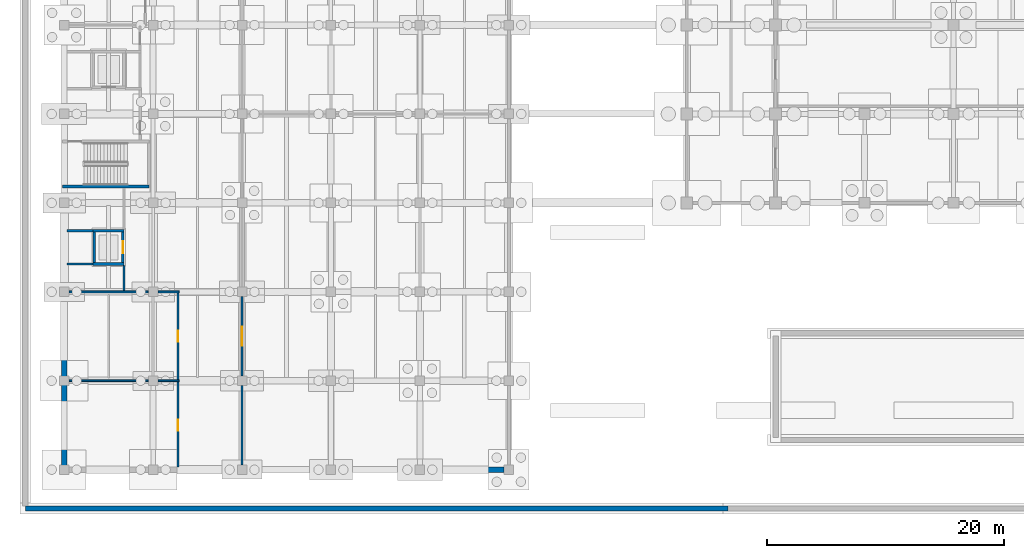
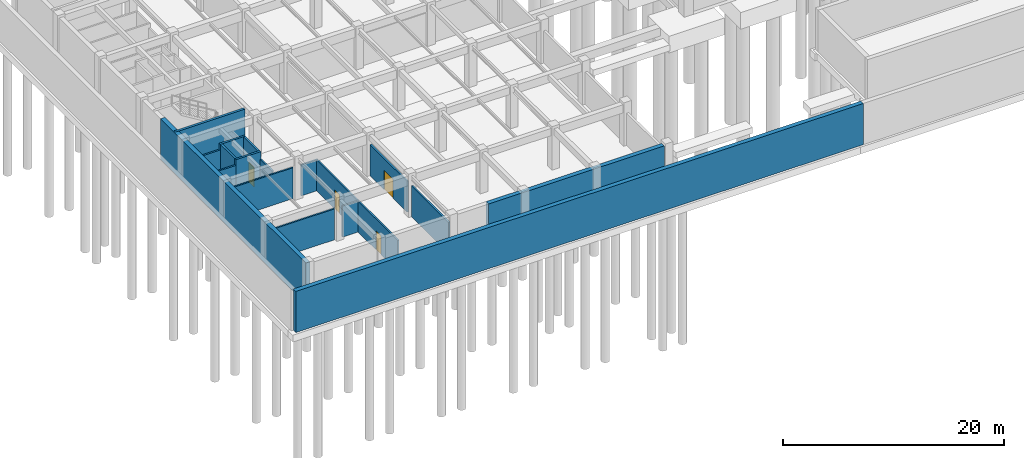
# One storey, part 21 of 38: 19 walls, 4 doors, 4 openings.
"""IFC4 building model written with IfcOpenShell, lengths in metres."""

import ifcopenshell
import ifcopenshell.guid

model = None  # the IFC model being written
_history = None  # IfcOwnerHistory: only IFC2X3 demands one
_inside = {}  # id of a spatial element -> (the spatial element, [elements in it])
_under = {}  # id of a project, library or spatial element -> (it, [spatial elements below it])
_declared = {}  # id of a project -> (the project, [libraries it declares])
_typed = {}  # id of a type object -> (the type object, [elements of that type])
_made_of = {}  # id of a material, layer set ... -> (it, [elements and type objects made of it])


def new_model(schema):
    """Start an empty IFC model of exactly this schema.

    Asked for "IFC4X3", IfcOpenShell would pick the latest addendum, in which some entities
    have other attributes; the version numbers below select the first issue.
    IFC2X3 requires an IfcOwnerHistory on every rooted entity: one is made here for all.
    """
    global model, _history
    if schema == "IFC4X3":
        model = ifcopenshell.file(schema_version=(4, 3, 0, 0))
    else:
        model = ifcopenshell.file(schema=schema)
    _inside.clear()
    _under.clear()
    _declared.clear()
    _typed.clear()
    _made_of.clear()
    _history = None
    if model.schema == "IFC2X3":
        org = make("IfcOrganization", Name="unknown")
        user = make(
            "IfcPersonAndOrganization",
            ThePerson=make("IfcPerson", FamilyName="unknown"),
            TheOrganization=org,
        )
        app = make(
            "IfcApplication",
            ApplicationDeveloper=org,
            Version="unknown",
            ApplicationFullName="unknown",
            ApplicationIdentifier="unknown",
        )
        _history = make(
            "IfcOwnerHistory",
            OwningUser=user,
            OwningApplication=app,
            ChangeAction="ADDED",
            CreationDate=0,
        )
    return model


def make(cls, **values):
    """One entity of the class cls with the attributes given. An attribute that is None is left unset."""
    return model.create_entity(
        cls, **{name: value for name, value in values.items() if value is not None}
    )


def rooted(cls, **values):
    """An entity with a GlobalId (a new one), such as an element, a storey or a relation."""
    return make(cls, GlobalId=ifcopenshell.guid.new(), OwnerHistory=_history, **values)


def si_unit(unit_type, name, prefix=None):
    """IfcSIUnit, for example si_unit("LENGTHUNIT", "METRE", prefix="MILLI")."""
    return make("IfcSIUnit", UnitType=unit_type, Prefix=prefix, Name=name)


def assignment(units):
    """IfcUnitAssignment: the units of a project."""
    return None if units is None else make("IfcUnitAssignment", Units=units)


def point(xyz):
    """IfcCartesianPoint."""
    return None if xyz is None else make("IfcCartesianPoint", Coordinates=xyz)


def direction(xyz):
    """IfcDirection."""
    return None if xyz is None else make("IfcDirection", DirectionRatios=xyz)


def frame(location, z_axis=None, x_axis=None):
    """IfcAxis2Placement3D, a coordinate frame: its origin and axes. An axis left out is left unset."""
    return make(
        "IfcAxis2Placement3D",
        Location=point(location),
        Axis=direction(z_axis),
        RefDirection=direction(x_axis),
    )


def frame_2d(location, x_axis=None):
    """IfcAxis2Placement2D, a coordinate frame in the plane: its origin and x axis."""
    return make(
        "IfcAxis2Placement2D", Location=point(location), RefDirection=direction(x_axis)
    )


def origin():
    """The frame at (0, 0, 0) with its axes left unset."""
    return frame((0.0, 0.0, 0.0))


def place(relative_to, where):
    """IfcLocalPlacement: puts the frame where relative to a parent placement (None: the world)."""
    return make(
        "IfcLocalPlacement", PlacementRelTo=relative_to, RelativePlacement=where
    )


def context(
    kind, dimensions, precision=None, world=None, true_north=None, identifier=None
):
    """IfcGeometricRepresentationContext, for example the 3D "Model" context."""
    return make(
        "IfcGeometricRepresentationContext",
        ContextIdentifier=identifier,
        ContextType=kind,
        CoordinateSpaceDimension=dimensions,
        Precision=precision,
        WorldCoordinateSystem=world,
        TrueNorth=true_north,
    )


def subcontext(parent, identifier, kind, view, scale=None):
    """IfcGeometricRepresentationSubContext, for example "Body" below "Model"."""
    return make(
        "IfcGeometricRepresentationSubContext",
        ContextIdentifier=identifier,
        ContextType=kind,
        ParentContext=parent,
        TargetScale=scale,
        TargetView=view,
    )


def project(units=None, contexts=None):
    """IfcProject with its units and contexts."""
    return rooted(
        "IfcProject",
        Name="project",
        RepresentationContexts=contexts,
        UnitsInContext=assignment(units),
    )


def spatial(cls, under=None, at=None, **own):
    """A site, building, storey or space (cls), placed at a placement, below another one or the project."""
    s = rooted(cls, ObjectPlacement=at, **own)
    if under is not None:
        _under.setdefault(under.id(), (under, []))[1].append(s)
    return s


def profile(cls, at=None, kind="AREA", **sizes):
    """A parametric profile (cls). Its sizes go by their IFC names, for example OverallWidth=200.0."""
    return make(cls, ProfileType=kind, Position=at, **sizes)


def rectangle(**sizes):
    """IfcRectangleProfileDef."""
    return profile("IfcRectangleProfileDef", **sizes)


def extrude(swept, where, along, depth):
    """IfcExtrudedAreaSolid: the profile swept, set in the frame where, extruded along a direction by depth."""
    return make(
        "IfcExtrudedAreaSolid",
        SweptArea=swept,
        Position=where,
        ExtrudedDirection=direction(along),
        Depth=depth,
    )


def shape(context_of_items, identifier, shape_type, items):
    """IfcShapeRepresentation: the items that make up one representation, for example the "Body"."""
    return make(
        "IfcShapeRepresentation",
        ContextOfItems=context_of_items,
        RepresentationIdentifier=identifier,
        RepresentationType=shape_type,
        Items=items,
    )


def material(Name=None, Category=None):
    """IfcMaterial."""
    return make("IfcMaterial", Name=Name, Category=Category)


def layer(
    of_material, thickness, ventilated=None, Name=None, Category=None, Priority=None
):
    """IfcMaterialLayer: one layer of a wall or slab, of a material (None: an air gap)."""
    return make(
        "IfcMaterialLayer",
        Material=of_material,
        LayerThickness=thickness,
        IsVentilated=ventilated,
        Name=Name,
        Category=Category,
        Priority=Priority,
    )


def layer_set(layers, Name=None):
    """IfcMaterialLayerSet."""
    return make("IfcMaterialLayerSet", MaterialLayers=layers, LayerSetName=Name)


def made_of(thing, what):
    """Note that an element or type object is made of a material, layer set ...; save() writes the relation."""
    if what is not None:
        _made_of.setdefault(what.id(), (what, []))[1].append(thing)
    return thing


def type_object(cls, material=None, **own):
    """A type object (cls), such as IfcWallType, which elements share."""
    return made_of(rooted(cls, **own), material)


def element(
    cls,
    number,
    at=None,
    inside=None,
    cuts=None,
    type_object=None,
    material=None,
    context=None,
    identifier="Body",
    shape_type=None,
    held_by="IfcProductDefinitionShape",
    body=None,
    shapes=None,
    **own,
):
    """One element of the class cls, such as IfcWall. Its Tag is "e" and its number.

    at: its placement. inside: the storey or other place that contains it. cuts: it is an
    opening in that element (IfcRelVoidsElement). A single representation is given by context,
    identifier, shape_type and body (its items); several are given by shapes. held_by: the class
    of the entity that holds the representations. save() writes the other relations.
    """
    e = rooted(cls, Tag="e%d" % number, ObjectPlacement=at, **own)
    if body is not None:
        shapes = [shape(context, identifier, shape_type, body)]
    if shapes is not None:
        e.Representation = make(held_by, Representations=shapes)
    if inside is not None:
        _inside.setdefault(inside.id(), (inside, []))[1].append(e)
    if cuts is not None:
        rooted(
            "IfcRelVoidsElement", RelatingBuildingElement=cuts, RelatedOpeningElement=e
        )
    if type_object is not None:
        _typed.setdefault(type_object.id(), (type_object, []))[1].append(e)
    return made_of(e, material)


def fill(opening, filler):
    """IfcRelFillsElement: the door or window that sits in an opening."""
    return rooted(
        "IfcRelFillsElement",
        RelatingOpeningElement=opening,
        RelatedBuildingElement=filler,
    )


def aggregate(whole, parts):
    """IfcRelAggregates: a whole, such as a stair, and the parts it consists of."""
    return rooted("IfcRelAggregates", RelatingObject=whole, RelatedObjects=parts)


def save(model, path):
    """Write the relations noted so far, then the file.

    IfcRelAggregates (storeys below a building ...), IfcRelContainedInSpatialStructure (elements
    in a storey), IfcRelDefinesByType, IfcRelAssociatesMaterial and IfcRelDeclares: one each for
    every whole, place, type object, material and project.
    """
    for whole, parts in _under.values():
        aggregate(whole, parts)
    for where, things in _inside.values():
        rooted(
            "IfcRelContainedInSpatialStructure",
            RelatedElements=things,
            RelatingStructure=where,
        )
    for kind, things in _typed.values():
        rooted("IfcRelDefinesByType", RelatedObjects=things, RelatingType=kind)
    for what, things in _made_of.values():
        rooted("IfcRelAssociatesMaterial", RelatedObjects=things, RelatingMaterial=what)
    for by, libraries in _declared.values():
        rooted("IfcRelDeclares", RelatingContext=by, RelatedDefinitions=libraries)
    model.write(path)


model = new_model("IFC4")

# Units and contexts
model_context = context("Model", 3, precision=1e-05, world=origin(), true_north=direction((0.0, 1.0)))
body_context = subcontext(model_context, "Body", "Model", "MODEL_VIEW")
ifc_project = project(units=[si_unit("LENGTHUNIT", "METRE"), si_unit("AREAUNIT", "SQUARE_METRE"), si_unit("VOLUMEUNIT", "CUBIC_METRE"), si_unit("PLANEANGLEUNIT", "RADIAN"), si_unit("MASSUNIT", "GRAM", prefix="KILO")], contexts=[model_context])

# Site, building, storey
site_placement = place(None, origin())
site = spatial("IfcSite", under=ifc_project, at=site_placement, CompositionType="ELEMENT")
building_placement = place(site_placement, origin())
building = spatial("IfcBuilding", under=site, at=building_placement, Name="Qasida Concert Hall", CompositionType="ELEMENT")
storey_placement = place(building_placement, frame((0.0, 0.0, -4.800048828125)))
storey = spatial("IfcBuildingStorey", under=building, at=storey_placement, Name="B1", CompositionType="ELEMENT", Elevation=-4.800048828125)

# Walls
ifc_material_1 = material(Name="Concrete C40/50", Category="concrete")
ifc_layer_1 = layer(ifc_material_1, 0.219970703125, Name="Concrete C40/50")
ifc_layer_set_1 = layer_set([ifc_layer_1], Name="Concrete C40/50")
wall_type_1 = type_object("IfcWallType", Name="WL-CW-220", PredefinedType="SOLIDWALL", material=ifc_layer_set_1)
for number, where, z_axis, x_axis, name in (
    (1, (2.43994140625, 17.35009765625, 0.0), (0.0, 0.0, 1.0), (1.0, 0.0, 0.0), "B1 LF-05 lift shaft wall S"),
    (2, (2.43994140625, 20.14990234375, 0.0), (0.0, 0.0, 1.0), (1.0, 0.0, 0.0), "B1 LF-05 lift shaft wall N"),
):
    element("IfcWall", number, at=place(storey_placement, frame(where, z_axis=z_axis, x_axis=x_axis)), inside=storey, type_object=wall_type_1, Name=name, PredefinedType="SOLIDWALL", context=body_context, shape_type="SweptSolid", body=[
        extrude(rectangle(XDim=2.6201171875, YDim=0.219970703125, at=frame_2d((1.31005859375, 0.0))), origin(), (0.0, 0.0, 1.0), 4.5),
    ])
wall_1_placement = place(storey_placement, frame((2.550048828125, 17.4599609375, 0.0), z_axis=(0.0, 0.0, 1.0), x_axis=(0.0, 1.0, 0.0)))
element("IfcWall", 3, at=wall_1_placement, inside=storey, type_object=wall_type_1, Name="B1 LF-05 lift shaft wall W", PredefinedType="SOLIDWALL", context=body_context, shape_type="SweptSolid", body=[
    extrude(rectangle(XDim=2.580078125, YDim=0.219970703125, at=frame_2d((1.2900390625, 0.0))), origin(), (0.0, 0.0, 1.0), 4.5),
])

# Wall, opening, door
wall_2_placement = place(storey_placement, frame((4.949951171875, 17.4599609375, 0.0), z_axis=(0.0, 0.0, 1.0), x_axis=(0.0, 1.0, 0.0)))
wall_2 = element("IfcWall", 4, at=wall_2_placement, inside=storey, type_object=wall_type_1, Name="B1 LF-05 lift shaft wall E", PredefinedType="SOLIDWALL", context=body_context, shape_type="SweptSolid", body=[
    extrude(rectangle(XDim=2.580078125, YDim=0.219970703125, at=frame_2d((1.2900390625, 0.0))), origin(), (0.0, 0.0, 1.0), 4.5),
])
opening_1_placement = place(wall_2_placement, frame((0.7900390625, 0.0, 0.0)))
opening_1 = element("IfcOpeningElement", 5, at=opening_1_placement, cuts=wall_2, Name="Opening LD-100", PredefinedType="OPENING", context=body_context, shape_type="SweptSolid", body=[
    extrude(rectangle(XDim=1.0, YDim=2.14990234375, at=frame_2d((0.5, 1.074951171875))), frame((0.0, 0.119873046875, 0.0), z_axis=(0.0, -1.0, 0.0), x_axis=(1.0, 0.0, 0.0)), (0.0, 0.0, 1.0), 0.239990234375),
])
ifc_material_2 = material(Name="Brushed bronze passenger lift landing door", Category="steel")
door_type_1 = type_object("IfcDoorType", Name="LD-100", OperationType="SLIDING_TO_LEFT", PredefinedType="DOOR", material=ifc_material_2)
door_1_placement = place(opening_1_placement, origin())
door_1 = element("IfcDoor", 6, at=door_1_placement, inside=storey, type_object=door_type_1, Name="Lift landing door LF-05 B1", OperationType="SLIDING_TO_LEFT", OverallHeight=2.14990234375, OverallWidth=1.0, PredefinedType="DOOR", context=body_context, shape_type="SweptSolid", body=[
    extrude(rectangle(XDim=1.0, YDim=2.14990234375, at=frame_2d((0.5, 1.074951171875))), frame((0.0, 0.02490234375, 0.0), z_axis=(0.0, -1.0, 0.0), x_axis=(1.0, 0.0, 0.0)), (0.0, 0.0, 1.0), 0.050048828125),
])
fill(opening_1, door_1)

# Walls
ifc_layer_2 = layer(ifc_material_1, 0.25, Name="Concrete C40/50")
ifc_layer_set_2 = layer_set([ifc_layer_2], Name="Concrete C40/50")
wall_type_2 = type_object("IfcWallType", Name="WL-CW-250", PredefinedType="SOLIDWALL", material=ifc_layer_set_2)
wall_3_placement = place(storey_placement, frame((-0.1201171875, 23.875, 0.0), z_axis=(0.0, 0.0, 1.0), x_axis=(1.0, 0.0, 0.0)))
element("IfcWall", 7, at=wall_3_placement, inside=storey, type_object=wall_type_2, Name="B1 ST-03 stairwell wall S", PredefinedType="SOLIDWALL", context=body_context, shape_type="SweptSolid", body=[
    extrude(rectangle(XDim=7.260009765625, YDim=0.25, at=frame_2d((3.6298828125, 0.0))), origin(), (0.0, 0.0, 1.0), 4.5),
])
ifc_material_3 = material(Name="Moisture-resistant gypsum partition", Category="gypsum")
ifc_layer_3 = layer(ifc_material_3, 0.159912109375, Name="Moisture-resistant gypsum partition")
ifc_layer_set_3 = layer_set([ifc_layer_3], Name="Moisture-resistant gypsum partition")
wall_type_3 = type_object("IfcWallType", Name="WL-PW-160", PredefinedType="PARTITIONING", material=ifc_layer_set_3)
wall_4_placement = place(storey_placement, frame((0.4140625, 7.5, 0.0), z_axis=(0.0, 0.0, 1.0), x_axis=(1.0, 0.0, 0.0)))
element("IfcWall", 8, at=wall_4_placement, inside=storey, type_object=wall_type_3, Name="B1 partition PW-160 0065", PredefinedType="PARTITIONING", context=body_context, shape_type="SweptSolid", body=[
    extrude(rectangle(XDim=6.671875, YDim=0.159912109375, at=frame_2d((3.3359375, 0.0))), origin(), (0.0, 0.0, 1.0), 3.420166015625),
])
wall_5_placement = place(storey_placement, frame((7.9140625, 7.5, 0.0), z_axis=(0.0, 0.0, 1.0), x_axis=(1.0, 0.0, 0.0)))
element("IfcWall", 9, at=wall_5_placement, inside=storey, type_object=wall_type_3, Name="B1 partition PW-160 0066", PredefinedType="PARTITIONING", context=body_context, shape_type="SweptSolid", body=[
    extrude(rectangle(XDim=1.785888671875, YDim=0.159912109375, at=frame_2d((0.89306640625, 0.0))), origin(), (0.0, 0.0, 1.0), 3.420166015625),
])
wall_6_placement = place(storey_placement, frame((0.4140625, 15.0, 0.0), z_axis=(0.0, 0.0, 1.0), x_axis=(1.0, 0.0, 0.0)))
element("IfcWall", 10, at=wall_6_placement, inside=storey, type_object=wall_type_3, Name="B1 partition PW-160 0067", PredefinedType="PARTITIONING", context=body_context, shape_type="SweptSolid", body=[
    extrude(rectangle(XDim=6.671875, YDim=0.159912109375, at=frame_2d((3.3359375, 0.0))), origin(), (0.0, 0.0, 1.0), 3.420166015625),
])
wall_7_placement = place(storey_placement, frame((7.9140625, 15.0, 0.0), z_axis=(0.0, 0.0, 1.0), x_axis=(1.0, 0.0, 0.0)))
element("IfcWall", 11, at=wall_7_placement, inside=storey, type_object=wall_type_3, Name="B1 partition PW-160 0068", PredefinedType="PARTITIONING", context=body_context, shape_type="SweptSolid", body=[
    extrude(rectangle(XDim=1.785888671875, YDim=0.159912109375, at=frame_2d((0.89306640625, 0.0))), origin(), (0.0, 0.0, 1.0), 3.420166015625),
])

# Wall, opening, door
wall_8_placement = place(storey_placement, frame((9.60009765625, 0.239013671875, 0.0), z_axis=(0.0, 0.0, 1.0), x_axis=(0.0, 1.0, 0.0)))
wall_8 = element("IfcWall", 12, at=wall_8_placement, inside=storey, type_object=wall_type_3, Name="B1 partition PW-160 0069", PredefinedType="PARTITIONING", context=body_context, shape_type="SweptSolid", body=[
    extrude(rectangle(XDim=7.1669921875, YDim=0.159912109375, at=frame_2d((3.58349609375, 0.0))), origin(), (0.0, 0.0, 1.0), 3.420166015625),
])
opening_2_placement = place(wall_8_placement, frame((3.06103515625, 0.0, 0.0)))
opening_2 = element("IfcOpeningElement", 13, at=opening_2_placement, cuts=wall_8, Name="Opening ID-090", PredefinedType="OPENING", context=body_context, shape_type="SweptSolid", body=[
    extrude(rectangle(XDim=0.89990234375, YDim=2.10009765625, at=frame_2d((0.449951171875, 1.050048828125))), frame((0.0, 0.08984375, 0.0), z_axis=(0.0, -1.0, 0.0), x_axis=(1.0, 0.0, 0.0)), (0.0, 0.0, 1.0), 0.179931640625),
])
ifc_material_4 = material(Name="Quarter-sawn oak flush room door", Category="wood")
door_type_2 = type_object("IfcDoorType", Name="ID-090", OperationType="NOTDEFINED", PredefinedType="DOOR", material=ifc_material_4)
door_2_placement = place(opening_2_placement, origin())
door_2 = element("IfcDoor", 14, at=door_2_placement, inside=storey, type_object=door_type_2, Name="B1 Male restroom door", OperationType="SINGLE_SWING_LEFT", OverallHeight=2.10009765625, OverallWidth=0.89990234375, PredefinedType="DOOR", context=body_context, shape_type="SweptSolid", body=[
    extrude(rectangle(XDim=0.89990234375, YDim=2.10009765625, at=frame_2d((0.449951171875, 1.050048828125))), frame((0.0, 0.02490234375, 0.0), z_axis=(0.0, -1.0, 0.0), x_axis=(1.0, 0.0, 0.0)), (0.0, 0.0, 1.0), 0.050048828125),
])
fill(opening_2, door_2)

wall_9_placement = place(storey_placement, frame((9.60009765625, 7.593994140625, 0.0), z_axis=(0.0, 0.0, 1.0), x_axis=(0.0, 1.0, 0.0)))
wall_9 = element("IfcWall", 15, at=wall_9_placement, inside=storey, type_object=wall_type_3, Name="B1 partition PW-160 0070", PredefinedType="PARTITIONING", context=body_context, shape_type="SweptSolid", body=[
    extrude(rectangle(XDim=7.31201171875, YDim=0.159912109375, at=frame_2d((3.656005859375, 0.0))), origin(), (0.0, 0.0, 1.0), 3.420166015625),
])
opening_3_placement = place(wall_9_placement, frame((3.2060546875, 0.0, 0.0)))
opening_3 = element("IfcOpeningElement", 16, at=opening_3_placement, cuts=wall_9, Name="Opening ID-090", PredefinedType="OPENING", context=body_context, shape_type="SweptSolid", body=[
    extrude(rectangle(XDim=0.89990234375, YDim=2.10009765625, at=frame_2d((0.449951171875, 1.050048828125))), frame((0.0, 0.08984375, 0.0), z_axis=(0.0, -1.0, 0.0), x_axis=(1.0, 0.0, 0.0)), (0.0, 0.0, 1.0), 0.179931640625),
])
door_3_placement = place(opening_3_placement, origin())
door_3 = element("IfcDoor", 17, at=door_3_placement, inside=storey, type_object=door_type_2, Name="B1 Female restroom door", OperationType="SINGLE_SWING_RIGHT", OverallHeight=2.10009765625, OverallWidth=0.89990234375, PredefinedType="DOOR", context=body_context, shape_type="SweptSolid", body=[
    extrude(rectangle(XDim=0.89990234375, YDim=2.10009765625, at=frame_2d((0.449951171875, 1.050048828125))), frame((0.0, 0.02490234375, 0.0), z_axis=(0.0, -1.0, 0.0), x_axis=(1.0, 0.0, 0.0)), (0.0, 0.0, 1.0), 0.050048828125),
])
fill(opening_3, door_3)

# Walls
ifc_material_5 = material(Name="Acoustic metal-stud gypsum partition", Category="gypsum")
ifc_layer_4 = layer(ifc_material_5, 0.179931640625, Name="Acoustic metal-stud gypsum partition")
ifc_layer_set_4 = layer_set([ifc_layer_4], Name="Acoustic metal-stud gypsum partition")
wall_type_4 = type_object("IfcWallType", Name="WL-PW-180", PredefinedType="PARTITIONING", material=ifc_layer_set_4)
for number, where, z_axis, x_axis, name in (
    (18, (0.239013671875, 17.35009765625, 0.0), (0.0, 0.0, 1.0), (1.0, 0.0, 0.0), "B1 partition PW-180 0084"),
    (19, (0.239013671875, 20.14990234375, 0.0), (0.0, 0.0, 1.0), (1.0, 0.0, 0.0), "B1 partition PW-180 0085"),
):
    element("IfcWall", number, at=place(storey_placement, frame(where, z_axis=z_axis, x_axis=x_axis)), inside=storey, type_object=wall_type_4, Name=name, PredefinedType="PARTITIONING", context=body_context, shape_type="SweptSolid", body=[
        extrude(rectangle(XDim=2.200927734375, YDim=0.179931640625, at=frame_2d((1.1005859375, 0.0))), origin(), (0.0, 0.0, 1.0), 3.8701171875),
    ])
wall_10_placement = place(storey_placement, frame((5.050048828125, 15.093994140625, 0.0), z_axis=(0.0, 0.0, 1.0), x_axis=(0.0, 1.0, 0.0)))
element("IfcWall", 20, at=wall_10_placement, inside=storey, type_object=wall_type_4, Name="B1 partition PW-180 0086", PredefinedType="PARTITIONING", context=body_context, shape_type="SweptSolid", body=[
    extrude(rectangle(XDim=2.132080078125, YDim=0.179931640625, at=frame_2d((1.06591796875, 0.0))), origin(), (0.0, 0.0, 1.0), 3.670166015625),
])
wall_11_placement = place(storey_placement, frame((15.0, 0.4140625, 0.0), z_axis=(0.0, 0.0, 1.0), x_axis=(0.0, 1.0, 0.0)))
element("IfcWall", 21, at=wall_11_placement, inside=storey, type_object=wall_type_4, Name="B1 partition PW-180 0167", PredefinedType="PARTITIONING", context=body_context, shape_type="SweptSolid", body=[
    extrude(rectangle(XDim=6.671875, YDim=0.179931640625, at=frame_2d((3.3359375, 0.0))), origin(), (0.0, 0.0, 1.0), 3.420166015625),
])

# Wall, opening, door
wall_12_placement = place(storey_placement, frame((15.0, 7.9140625, 0.0), z_axis=(0.0, 0.0, 1.0), x_axis=(0.0, 1.0, 0.0)))
wall_12 = element("IfcWall", 22, at=wall_12_placement, inside=storey, type_object=wall_type_4, Name="B1 partition PW-180 0168", PredefinedType="PARTITIONING", context=body_context, shape_type="SweptSolid", body=[
    extrude(rectangle(XDim=6.671875, YDim=0.179931640625, at=frame_2d((3.3359375, 0.0))), origin(), (0.0, 0.0, 1.0), 3.420166015625),
])
opening_4_placement = place(wall_12_placement, frame((2.535888671875, 0.0, 0.0)))
opening_4 = element("IfcOpeningElement", 23, at=opening_4_placement, cuts=wall_12, Name="Opening FD-160", PredefinedType="OPENING", context=body_context, shape_type="SweptSolid", body=[
    extrude(rectangle(XDim=1.60009765625, YDim=2.14990234375, at=frame_2d((0.800048828125, 1.074951171875))), frame((0.0, 0.099853515625, 0.0), z_axis=(0.0, -1.0, 0.0), x_axis=(1.0, 0.0, 0.0)), (0.0, 0.0, 1.0), 0.199951171875),
])
ifc_material_6 = material(Name="Double-leaf acoustic fire door", Category="steel")
door_type_3 = type_object("IfcDoorType", Name="FD-160", OperationType="NOTDEFINED", PredefinedType="DOOR", material=ifc_material_6)
door_4_placement = place(opening_4_placement, origin())
door_4 = element("IfcDoor", 24, at=door_4_placement, inside=storey, type_object=door_type_3, Name="B1 Cloakroom door", OperationType="SINGLE_SWING_RIGHT", OverallHeight=2.14990234375, OverallWidth=1.60009765625, PredefinedType="DOOR", context=body_context, shape_type="SweptSolid", body=[
    extrude(rectangle(XDim=1.60009765625, YDim=2.14990234375, at=frame_2d((0.800048828125, 1.074951171875))), frame((0.0, 0.02490234375, 0.0), z_axis=(0.0, -1.0, 0.0), x_axis=(1.0, 0.0, 0.0)), (0.0, 0.0, 1.0), 0.050048828125),
])
fill(opening_4, door_4)

# Walls
ifc_layer_5 = layer(ifc_material_1, 0.449951171875, Name="Concrete C40/50")
ifc_layer_set_5 = layer_set([ifc_layer_5], Name="Concrete C40/50")
wall_type_5 = type_object("IfcWallType", Name="WL-RW-450", PredefinedType="USERDEFINED", material=ifc_layer_set_5)
wall_13_placement = place(storey_placement, frame((0.0, 0.0, 0.0), z_axis=(0.0, 0.0, 1.0), x_axis=(0.0, 1.0, 0.0)))
element("IfcWall", 25, at=wall_13_placement, inside=storey, type_object=wall_type_5, Name="B1 retaining wall RW-450 001", ObjectType="RETAININGWALL", PredefinedType="USERDEFINED", context=body_context, shape_type="SweptSolid", body=[
    extrude(rectangle(XDim=26.25, YDim=0.449951171875, at=frame_2d((13.125, 0.0))), origin(), (0.0, 0.0, 1.0), 4.5),
])
wall_14_placement = place(storey_placement, frame((18.75, 0.0, 0.0), z_axis=(0.0, 0.0, 1.0), x_axis=(1.0, 0.0, 0.0)))
element("IfcWall", 26, at=wall_14_placement, inside=storey, type_object=wall_type_5, Name="B1 retaining wall RW-450 006", ObjectType="RETAININGWALL", PredefinedType="USERDEFINED", context=body_context, shape_type="SweptSolid", body=[
    extrude(rectangle(XDim=18.344970703125, YDim=0.449951171875, at=frame_2d((9.17236328125, 0.0))), origin(), (0.0, 0.0, 1.0), 4.5),
])
wall_15_placement = place(storey_placement, frame((-3.27490234375, -3.27490234375, 0.0), z_axis=(0.0, 0.0, 1.0), x_axis=(1.0, 0.0, 0.0)))
element("IfcWall", 27, at=wall_15_placement, inside=storey, type_object=wall_type_5, Name="B1 civic plaza plinth retaining wall PLW-S1", ObjectType="RETAININGWALL", PredefinedType="USERDEFINED", context=body_context, shape_type="SweptSolid", body=[
    extrude(rectangle(XDim=59.27490234375, YDim=0.449951171875, at=frame_2d((29.637451171875, 0.0))), origin(), (0.0, 0.0, 1.0), 4.550048828125),
])

save(model, "model.ifc")
